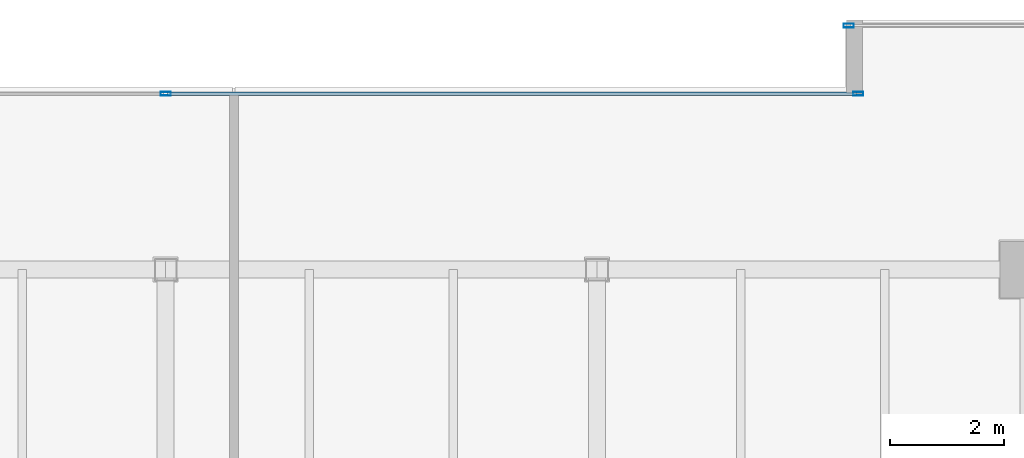
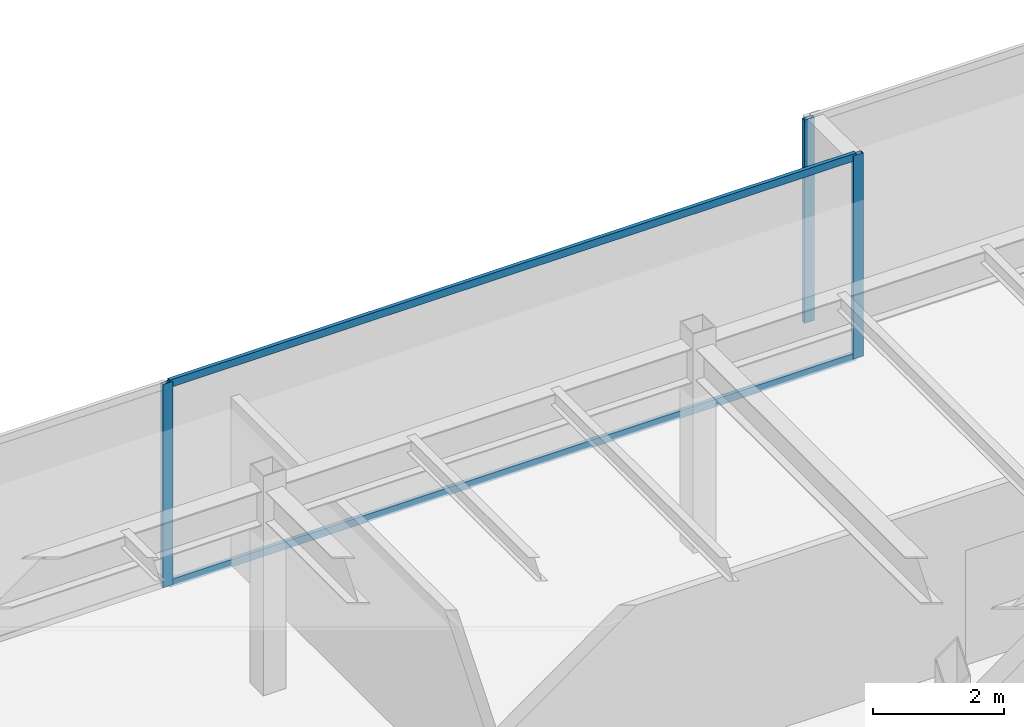
# One storey, part 19 of 35: 5 members, 2 elements without a shape of their own.
"""IFC4 building model written with IfcOpenShell, lengths in metres."""

from ifc_helpers import new_model, si_unit, direction, frame, origin, origin_2d, place, context, subcontext, project, spatial, hollow_rectangle, extrude, source, transform, mapped, material, layer, layer_set, material_profile, profile_set, type_object, type_shapes, element, aggregate, save


model = new_model("IFC4")

# Units and contexts
model_context = context("Model", 3, precision=1e-05, world=origin(), true_north=direction((0.0, 1.0)))
body_context = subcontext(model_context, "Body", "Model", "MODEL_VIEW")
ifc_project = project(units=[si_unit("LENGTHUNIT", "METRE"), si_unit("AREAUNIT", "SQUARE_METRE"), si_unit("VOLUMEUNIT", "CUBIC_METRE"), si_unit("PLANEANGLEUNIT", "RADIAN"), si_unit("MASSUNIT", "GRAM", prefix="KILO")], contexts=[model_context])

# Site, building, storey
site_placement = place(None, origin())
site = spatial("IfcSite", under=ifc_project, at=site_placement, CompositionType="ELEMENT")
building_placement = place(site_placement, origin())
building = spatial("IfcBuilding", under=site, at=building_placement, Name="Haelvirn Gate Laboratories", CompositionType="ELEMENT")
storey_placement = place(building_placement, frame((0.0, 0.0, 221.89990234375)))
storey = spatial("IfcBuildingStorey", under=building, at=storey_placement, Name="L53", CompositionType="ELEMENT", Elevation=221.89990234375)

# Curtain wall, members
ifc_material_1 = material(Name="Anodised bronze unitised aluminium & triple low-E glass", Category="aluminium")
ifc_layer = layer(ifc_material_1, 0.176025390625, Name="CW-SYS-4")
ifc_layer_set = layer_set([ifc_layer], Name="Anodised bronze unitised aluminium & triple low-E glass")
curtain_wall_type = type_object("IfcCurtainWallType", Name="CW-SYS-4", PredefinedType="NOTDEFINED", material=ifc_layer_set)
curtain_wall_1_placement = place(storey_placement, origin())
curtain_wall_1 = element("IfcCurtainWall", 1, at=curtain_wall_1_placement, inside=storey, type_object=curtain_wall_type, Name="L53 Unitised Curtain Wall CW-L53-P0-E12-1", PredefinedType="NOTDEFINED")
ifc_material_2 = material(Name="Extruded aluminium 6063-T6 (anodised bronze)", Category="aluminium")
ifc_material_profile_1 = material_profile(ifc_material_2, hollow_rectangle(XDim=0.06494140625, YDim=0.139892578125, WallThickness=0.00390625, at=origin_2d()), Name="CWT-140x65x4")
ifc_profile_set_1 = profile_set([ifc_material_profile_1], Name="Extruded aluminium 6063-T6 (anodised bronze)")
member_type_1 = type_object("IfcMemberType", Name="CWT-T140", PredefinedType="USERDEFINED", material=ifc_profile_set_1)
shared_shape_1 = source(origin(), body_context, "Body", "SweptSolid", [
    extrude(hollow_rectangle(XDim=0.06494140625, YDim=0.139892578125, WallThickness=0.00390625, at=origin_2d()), origin(), (0.0, 0.0, 1.0), 12.135009765625),
])
type_shapes(member_type_1, [shared_shape_1])
member_1_placement = place(storey_placement, frame((37.43505859375, 44.699951171875, 0.03271484375), z_axis=(1.0, 0.0, 0.0), x_axis=(0.0, 1.0, 0.0)))
member_1 = element("IfcMember", 2, at=member_1_placement, type_object=member_type_1, Name="CW4 transom 2.1", ObjectType="TRANSOM", PredefinedType="USERDEFINED", context=body_context, shape_type="MappedRepresentation", body=[
    mapped(shared_shape_1, transform((0.0, 0.0, 0.0), scale=1.0)),
])
member_2_placement = place(storey_placement, frame((37.43505859375, 44.699951171875, 3.767578125), z_axis=(1.0, 0.0, 0.0), x_axis=(0.0, 1.0, 0.0)))
member_2 = element("IfcMember", 3, at=member_2_placement, type_object=member_type_1, Name="CW4 transom 2.2", ObjectType="TRANSOM", PredefinedType="USERDEFINED", context=body_context, shape_type="MappedRepresentation", body=[
    mapped(shared_shape_1, transform((0.0, 0.0, 0.0), scale=1.0)),
])

# Curtain wall, member
curtain_wall_2_placement = place(storey_placement, origin())
curtain_wall_2 = element("IfcCurtainWall", 4, at=curtain_wall_2_placement, inside=storey, type_object=curtain_wall_type, Name="L53 Unitised Curtain Wall CW-L53-P0-E10-1", PredefinedType="NOTDEFINED")
ifc_material_profile_2 = material_profile(ifc_material_2, hollow_rectangle(XDim=0.070068359375, YDim=0.179931640625, WallThickness=0.0048828125, at=origin_2d()), Name="CWM-180x70x5")
ifc_profile_set_2 = profile_set([ifc_material_profile_2], Name="Extruded aluminium 6063-T6 (anodised bronze)")
member_type_2 = type_object("IfcMemberType", Name="CWM-T180", PredefinedType="MULLION", material=ifc_profile_set_2)
shared_shape_2 = source(origin(), body_context, "Body", "SweptSolid", [
    extrude(hollow_rectangle(XDim=0.070068359375, YDim=0.179931640625, WallThickness=0.0048828125, at=origin_2d()), origin(), (0.0, 0.0, 1.0), 3.800048828125),
])
type_shapes(member_type_2, [shared_shape_2])
member_3_placement = place(storey_placement, frame((49.43505859375, 45.89990234375, 0.0), z_axis=(0.0, 0.0, 1.0), x_axis=(0.0, 1.0, 0.0)))
member_3 = element("IfcMember", 5, at=member_3_placement, type_object=member_type_2, Name="CW4 mullion 1", PredefinedType="MULLION", context=body_context, shape_type="MappedRepresentation", body=[
    mapped(shared_shape_2, transform((0.0, 0.0, 0.0), scale=1.0)),
])
aggregate(curtain_wall_2, [member_3])

# Member
member_4_placement = place(storey_placement, frame((37.39990234375, 44.699951171875, 0.0), z_axis=(0.0, 0.0, 1.0), x_axis=(0.0, 1.0, 0.0)))
member_4 = element("IfcMember", 6, at=member_4_placement, type_object=member_type_2, Name="CW4 mullion 2", PredefinedType="MULLION", context=body_context, shape_type="MappedRepresentation", body=[
    mapped(shared_shape_2, transform((0.0, 0.0, 0.0), scale=1.0)),
])

member_5_placement = place(storey_placement, frame((49.60498046875, 44.699951171875, 0.0), z_axis=(0.0, 0.0, 1.0), x_axis=(0.0, 1.0, 0.0)))
member_5 = element("IfcMember", 7, at=member_5_placement, type_object=member_type_2, Name="CW4 mullion 3", PredefinedType="MULLION", context=body_context, shape_type="MappedRepresentation", body=[
    mapped(shared_shape_2, transform((0.0, 0.0, 0.0), scale=1.0)),
])

aggregate(curtain_wall_1, [member_4, member_5, member_1, member_2])

save(model, "model.ifc")
